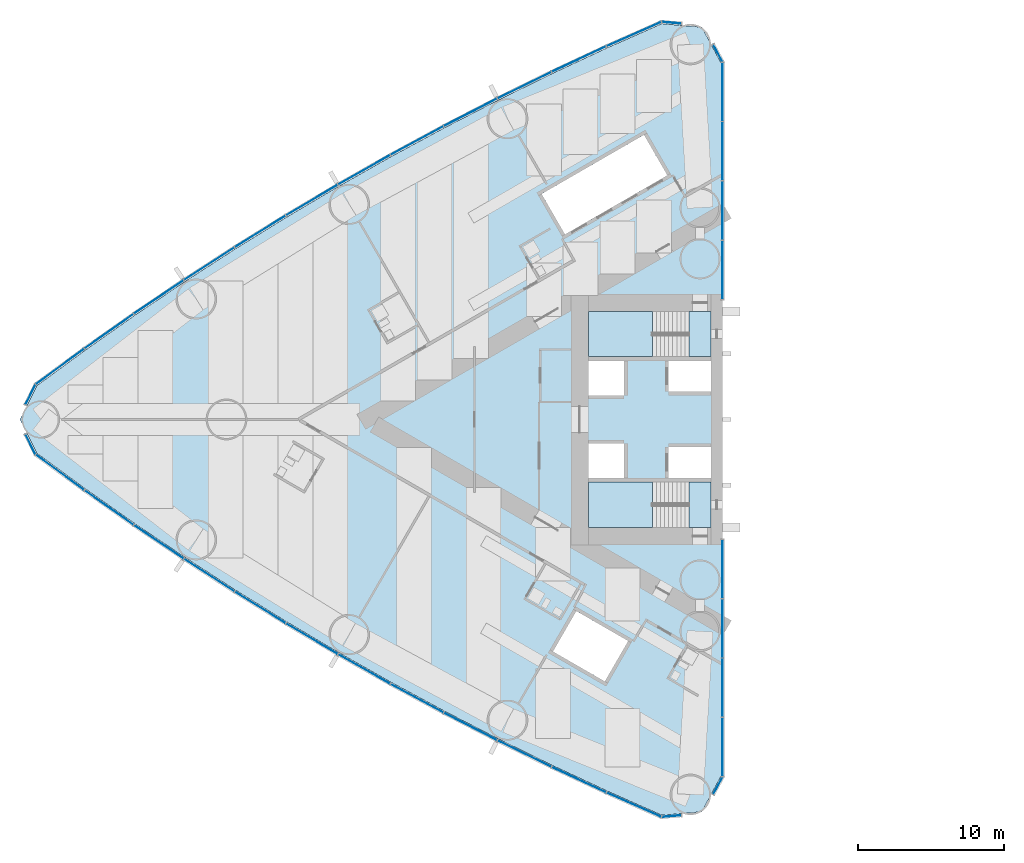
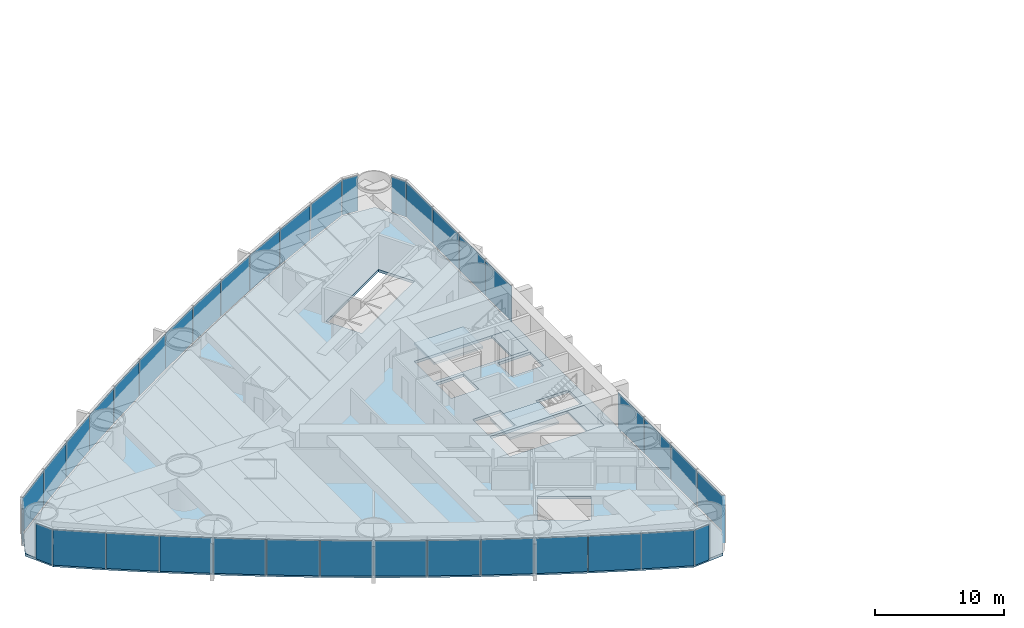
# One storey, part 9 of 18: 38 plates, 5 slabs, 6 elements without a shape of their own.
"""IFC4 building model written with IfcOpenShell, lengths in metres."""

from ifc_helpers import new_model, si_unit, direction, frame, origin, origin_2d, place, context, subcontext, project, spatial, polyline, rectangle, outline, extrude, material, layer, layer_set, type_object, element, aggregate, save


model = new_model("IFC4")

# Units and contexts
model_context = context("Model", 3, precision=1e-05, world=origin(), true_north=direction((0.0, 1.0)))
body_context = subcontext(model_context, "Body", "Model", "MODEL_VIEW")
ifc_project = project(units=[si_unit("LENGTHUNIT", "METRE"), si_unit("AREAUNIT", "SQUARE_METRE"), si_unit("VOLUMEUNIT", "CUBIC_METRE"), si_unit("PLANEANGLEUNIT", "RADIAN"), si_unit("MASSUNIT", "GRAM", prefix="KILO")], contexts=[model_context])

# Site, building, storey
site_placement = place(None, origin())
site = spatial("IfcSite", under=ifc_project, at=site_placement, CompositionType="ELEMENT")
building_placement = place(site_placement, origin())
building = spatial("IfcBuilding", under=site, at=building_placement, Name="Lancet Gate Hotel", CompositionType="ELEMENT")
storey_placement = place(building_placement, frame((0.0, 0.0, 46.0)))
storey = spatial("IfcBuildingStorey", under=building, at=storey_placement, Name="L11", CompositionType="ELEMENT", Elevation=46.0)

# Slab
ifc_material_1 = material(Name="Concrete C50/60", Category="concrete")
ifc_layer_1 = layer(ifc_material_1, 0.25)
ifc_layer_set_1 = layer_set([ifc_layer_1], Name="Floor slab 250")
slab_type_1 = type_object("IfcSlabType", Name="Floor slab 250", PredefinedType="FLOOR", material=ifc_layer_set_1)
slab_1_placement = place(storey_placement, frame((0.0, 0.0, -0.25)))
element("IfcSlab", 1, at=slab_1_placement, inside=storey, type_object=slab_type_1, Name="T1 L11 floor slab", PredefinedType="FLOOR", context=body_context, shape_type="SweptSolid", body=[
    extrude(outline(polyline([(-27.5, 8.60009765625), (-27.6201171875, 8.60009765625), (-27.6201171875, 24.4609375), (-28.926513671875, 26.8837890625), (-31.668212890625, 27.12353515625), (-35.424072265625, 25.458740234375), (-39.173583984375, 23.70849609375), (-42.887939453125, 21.884765625), (-46.56591796875, 19.98876953125), (-50.2060546875, 18.02099609375), (-53.806884765625, 15.982421875), (-57.366943359375, 13.87353515625), (-60.88525390625, 11.695068359375), (-64.360107421875, 9.448486328125), (-67.7900390625, 7.134033203125), (-71.17431640625, 4.752685546875), (-74.488525390625, 2.322021484375), (-75.65087890625, 0.0), (-74.488525390625, -2.322021484375), (-71.17431640625, -4.752685546875), (-67.7900390625, -7.134033203125), (-64.360107421875, -9.448486328125), (-60.88525390625, -11.695068359375), (-57.366943359375, -13.87353515625), (-53.806884765625, -15.982421875), (-50.2060546875, -18.02099609375), (-46.56591796875, -19.98876953125), (-42.887939453125, -21.884765625), (-39.173583984375, -23.70849609375), (-35.424072265625, -25.458740234375), (-31.668212890625, -27.12353515625), (-28.926513671875, -26.8837890625), (-27.6201171875, -24.4609375), (-27.6201171875, -8.60009765625), (-27.5, -8.60009765625), (-27.5, -8.199951171875), (-27.5, 8.199951171875), (-27.5, 8.60009765625)]), holes=[polyline([(-36.699951171875, 7.39990234375), (-36.699951171875, 4.300048828125), (-28.300048828125, 4.300048828125), (-28.300048828125, 7.39990234375), (-36.699951171875, 7.39990234375)]), polyline([(-28.300048828125, 4.0), (-31.199951171875, 4.0), (-31.199951171875, 1.89990234375), (-28.300048828125, 1.89990234375), (-28.300048828125, 4.0)]), polyline([(-34.25, 4.0), (-36.699951171875, 4.0), (-36.699951171875, 1.64990234375), (-34.25, 1.64990234375), (-34.25, 4.0)]), polyline([(-36.699951171875, -1.64990234375), (-36.699951171875, -4.0), (-34.25, -4.0), (-34.25, -1.64990234375), (-36.699951171875, -1.64990234375)]), polyline([(-28.300048828125, -1.89990234375), (-31.199951171875, -1.89990234375), (-31.199951171875, -4.0), (-28.300048828125, -4.0), (-28.300048828125, -1.89990234375)]), polyline([(-28.300048828125, -4.300048828125), (-36.699951171875, -4.300048828125), (-36.699951171875, -7.39990234375), (-28.300048828125, -7.39990234375), (-28.300048828125, -4.300048828125)]), polyline([(-31.2900390625, 16.73095703125), (-32.889892578125, 19.501953125), (-39.904052734375, 15.451904296875), (-38.303955078125, 12.680908203125), (-31.2900390625, 16.73095703125)]), polyline([(-33.97412109375, -15.180908203125), (-37.52490234375, -13.131103515625), (-39.125, -15.902099609375), (-35.573974609375, -17.951904296875), (-33.97412109375, -15.180908203125)])]), origin(), (0.0, 0.0, 1.0), 0.25),
])

# Stair, slabs
ifc_material_2 = material(Name="Exit stair 20 risers 1500")
stair_type = type_object("IfcStairType", Name="Exit stair 20 risers 1500", PredefinedType="HALF_TURN_STAIR", material=ifc_material_2)
stair_1_placement = place(storey_placement, origin())
stair_1 = element("IfcStair", 2, at=stair_1_placement, inside=storey, type_object=stair_type, Name="T1 stair 1 L11", PredefinedType="HALF_TURN_STAIR")
ifc_material_3 = material(Name="Concrete C40/50", Category="concrete")
ifc_layer_2 = layer(ifc_material_3, 0.199951171875)
ifc_layer_set_2 = layer_set([ifc_layer_2], Name="Stair landing 200")
slab_type_2 = type_object("IfcSlabType", Name="Stair landing 200", PredefinedType="LANDING", material=ifc_layer_set_2)
slab_2_placement = place(storey_placement, frame((0.0, 0.0, -0.199951171875)))
slab_2 = element("IfcSlab", 3, at=slab_2_placement, type_object=slab_type_2, Name="ST1 landing 1", PredefinedType="LANDING", context=body_context, shape_type="SweptSolid", body=[
    extrude(outline(polyline([(-28.300048828125, 7.39990234375), (-29.800048828125, 7.39990234375), (-29.800048828125, 4.300048828125), (-28.300048828125, 4.300048828125), (-28.300048828125, 7.39990234375)])), origin(), (0.0, 0.0, 1.0), 0.199951171875),
])
slab_3_placement = place(storey_placement, frame((0.0, 0.0, 1.550048828125)))
slab_3 = element("IfcSlab", 4, at=slab_3_placement, type_object=slab_type_2, Name="ST1 landing 2", PredefinedType="LANDING", context=body_context, shape_type="SweptSolid", body=[
    extrude(outline(polyline([(-32.320068359375, 7.39990234375), (-36.699951171875, 7.39990234375), (-36.699951171875, 4.300048828125), (-32.320068359375, 4.300048828125), (-32.320068359375, 7.39990234375)])), origin(), (0.0, 0.0, 1.0), 0.199951171875),
])
aggregate(stair_1, [slab_2, slab_3])

stair_2_placement = place(storey_placement, origin())
stair_2 = element("IfcStair", 5, at=stair_2_placement, inside=storey, type_object=stair_type, Name="T1 stair 2 L11", PredefinedType="HALF_TURN_STAIR")
slab_4_placement = place(storey_placement, frame((0.0, 0.0, -0.199951171875)))
slab_4 = element("IfcSlab", 6, at=slab_4_placement, type_object=slab_type_2, Name="ST2 landing 1", PredefinedType="LANDING", context=body_context, shape_type="SweptSolid", body=[
    extrude(outline(polyline([(-28.300048828125, -4.300048828125), (-29.800048828125, -4.300048828125), (-29.800048828125, -7.39990234375), (-28.300048828125, -7.39990234375), (-28.300048828125, -4.300048828125)])), origin(), (0.0, 0.0, 1.0), 0.199951171875),
])
slab_5_placement = place(storey_placement, frame((0.0, 0.0, 1.550048828125)))
slab_5 = element("IfcSlab", 7, at=slab_5_placement, type_object=slab_type_2, Name="ST2 landing 2", PredefinedType="LANDING", context=body_context, shape_type="SweptSolid", body=[
    extrude(outline(polyline([(-32.320068359375, -4.300048828125), (-36.699951171875, -4.300048828125), (-36.699951171875, -7.39990234375), (-32.320068359375, -7.39990234375), (-32.320068359375, -4.300048828125)])), origin(), (0.0, 0.0, 1.0), 0.199951171875),
])
aggregate(stair_2, [slab_4, slab_5])

# Curtain wall, plates
ifc_material_4 = material(Name="Aluminium curtain wall", Category="aluminium")
curtain_wall_type = type_object("IfcCurtainWallType", Name="Tower unitised curtain wall", PredefinedType="USERDEFINED", material=ifc_material_4)
curtain_wall_1_placement = place(storey_placement, origin())
curtain_wall_1 = element("IfcCurtainWall", 8, at=curtain_wall_1_placement, inside=storey, type_object=curtain_wall_type, Name="T1 L11 curtain wall 1", ObjectType="UNITISED CURTAIN WALL", PredefinedType="USERDEFINED")
ifc_material_5 = material(Name="Glass double glazed unit 8-16-6", Category="glass")
ifc_layer_3 = layer(ifc_material_5, 0.030029296875)
ifc_layer_set_3 = layer_set([ifc_layer_3], Name="Vision panel double glazed")
plate_type = type_object("IfcPlateType", Name="Vision panel double glazed", PredefinedType="CURTAIN_PANEL", material=ifc_layer_set_3)
plate_1_placement = place(storey_placement, frame((-27.5, 10.236328125, 0.0), z_axis=(0.0, 0.0, 1.0), x_axis=(0.0, 1.0, 0.0)))
plate_1 = element("IfcPlate", 9, at=plate_1_placement, type_object=plate_type, Name="T1 L11 curtain wall 1 panel 1", PredefinedType="CURTAIN_PANEL", context=body_context, shape_type="SweptSolid", body=[
    extrude(rectangle(XDim=4.0078125, YDim=0.030029296875, at=origin_2d()), origin(), (0.0, 0.0, 1.0), 3.35009765625),
])
plate_2_placement = place(storey_placement, frame((-27.5, 14.30908203125, 0.0), z_axis=(0.0, 0.0, 1.0), x_axis=(0.0, 1.0, 0.0)))
plate_2 = element("IfcPlate", 10, at=plate_2_placement, type_object=plate_type, Name="T1 L11 curtain wall 1 panel 2", PredefinedType="CURTAIN_PANEL", context=body_context, shape_type="SweptSolid", body=[
    extrude(rectangle(XDim=4.0078125, YDim=0.030029296875, at=origin_2d()), origin(), (0.0, 0.0, 1.0), 3.35009765625),
])
plate_3_placement = place(storey_placement, frame((-27.5, 18.382080078125, 0.0), z_axis=(0.0, 0.0, 1.0), x_axis=(0.0, 1.0, 0.0)))
plate_3 = element("IfcPlate", 11, at=plate_3_placement, type_object=plate_type, Name="T1 L11 curtain wall 1 panel 3", PredefinedType="CURTAIN_PANEL", context=body_context, shape_type="SweptSolid", body=[
    extrude(rectangle(XDim=4.0078125, YDim=0.030029296875, at=origin_2d()), origin(), (0.0, 0.0, 1.0), 3.35009765625),
])
plate_4_placement = place(storey_placement, frame((-27.5, 22.454833984375, 0.0), z_axis=(0.0, 0.0, 1.0), x_axis=(0.0, 1.0, 0.0)))
plate_4 = element("IfcPlate", 12, at=plate_4_placement, type_object=plate_type, Name="T1 L11 curtain wall 1 panel 4", PredefinedType="CURTAIN_PANEL", context=body_context, shape_type="SweptSolid", body=[
    extrude(rectangle(XDim=4.0078125, YDim=0.030029296875, at=origin_2d()), origin(), (0.0, 0.0, 1.0), 3.35009765625),
])
plate_5_placement = place(storey_placement, frame((-27.829345703125, 25.10205078125, 0.0), z_axis=(0.0, 0.0, 1.0), x_axis=(-0.474631040972, 0.880184852714, 0.0)))
plate_5 = element("IfcPlate", 13, at=plate_5_placement, type_object=plate_type, Name="T1 L11 curtain wall 1 panel 5", PredefinedType="CURTAIN_PANEL", context=body_context, shape_type="SweptSolid", body=[
    extrude(rectangle(XDim=1.322998046875, YDim=0.030029296875, at=origin_2d()), origin(), (0.0, 0.0, 1.0), 3.35009765625),
])
aggregate(curtain_wall_1, [plate_1, plate_2, plate_3, plate_4, plate_5])

curtain_wall_2_placement = place(storey_placement, origin())
curtain_wall_2 = element("IfcCurtainWall", 14, at=curtain_wall_2_placement, inside=storey, type_object=curtain_wall_type, Name="T1 L11 curtain wall 2", ObjectType="UNITISED CURTAIN WALL", PredefinedType="USERDEFINED")
plate_6_placement = place(storey_placement, frame((-30.99658203125, 27.185302734375, 0.0), z_axis=(0.0, 0.0, 1.0), x_axis=(-0.99620380374, 0.087051602022, 0.0)))
plate_6 = element("IfcPlate", 15, at=plate_6_placement, type_object=plate_type, Name="T1 L11 curtain wall 2 panel 1", PredefinedType="CURTAIN_PANEL", context=body_context, shape_type="SweptSolid", body=[
    extrude(rectangle(XDim=1.32421875, YDim=0.030029296875, at=origin_2d()), origin(), (0.0, 0.0, 1.0), 3.35009765625),
])
plate_7_placement = place(storey_placement, frame((-33.581298828125, 26.406982421875, 0.0), z_axis=(0.0, 0.0, 1.0), x_axis=(-0.914234183208, -0.405186201954, 0.0)))
plate_7 = element("IfcPlate", 16, at=plate_7_placement, type_object=plate_type, Name="T1 L11 curtain wall 2 panel 2", PredefinedType="CURTAIN_PANEL", context=body_context, shape_type="SweptSolid", body=[
    extrude(rectangle(XDim=4.0751953125, YDim=0.030029296875, at=origin_2d()), origin(), (0.0, 0.0, 1.0), 3.35009765625),
])
plate_8_placement = place(storey_placement, frame((-37.349609375, 24.6923828125, 0.0), z_axis=(0.0, 0.0, 1.0), x_axis=(-0.906117767284, -0.423025521467, 0.0)))
plate_8 = element("IfcPlate", 17, at=plate_8_placement, type_object=plate_type, Name="T1 L11 curtain wall 2 panel 3", PredefinedType="CURTAIN_PANEL", context=body_context, shape_type="SweptSolid", body=[
    extrude(rectangle(XDim=4.0751953125, YDim=0.030029296875, at=origin_2d()), origin(), (0.0, 0.0, 1.0), 3.35009765625),
])
plate_9_placement = place(storey_placement, frame((-41.083740234375, 22.904296875, 0.0), z_axis=(0.0, 0.0, 1.0), x_axis=(-0.897653295642, -0.440702349463, 0.0)))
plate_9 = element("IfcPlate", 18, at=plate_9_placement, type_object=plate_type, Name="T1 L11 curtain wall 2 panel 4", PredefinedType="CURTAIN_PANEL", context=body_context, shape_type="SweptSolid", body=[
    extrude(rectangle(XDim=4.0751953125, YDim=0.030029296875, at=origin_2d()), origin(), (0.0, 0.0, 1.0), 3.35009765625),
])
plate_10_placement = place(storey_placement, frame((-44.781982421875, 21.04345703125, 0.0), z_axis=(0.0, 0.0, 1.0), x_axis=(-0.888844019644, -0.458209895946, 0.0)))
plate_10 = element("IfcPlate", 19, at=plate_10_placement, type_object=plate_type, Name="T1 L11 curtain wall 2 panel 5", PredefinedType="CURTAIN_PANEL", context=body_context, shape_type="SweptSolid", body=[
    extrude(rectangle(XDim=4.0751953125, YDim=0.030029296875, at=origin_2d()), origin(), (0.0, 0.0, 1.0), 3.35009765625),
])
plate_11_placement = place(storey_placement, frame((-48.443115234375, 19.110595703125, 0.0), z_axis=(0.0, 0.0, 1.0), x_axis=(-0.87969332307, -0.475541435993, 0.0)))
plate_11 = element("IfcPlate", 20, at=plate_11_placement, type_object=plate_type, Name="T1 L11 curtain wall 2 panel 6", PredefinedType="CURTAIN_PANEL", context=body_context, shape_type="SweptSolid", body=[
    extrude(rectangle(XDim=4.0751953125, YDim=0.030029296875, at=origin_2d()), origin(), (0.0, 0.0, 1.0), 3.35009765625),
])
plate_12_placement = place(storey_placement, frame((-52.065673828125, 17.106201171875, 0.0), z_axis=(0.0, 0.0, 1.0), x_axis=(-0.870204720871, -0.492690312238, 0.0)))
plate_12 = element("IfcPlate", 21, at=plate_12_placement, type_object=plate_type, Name="T1 L11 curtain wall 2 panel 7", PredefinedType="CURTAIN_PANEL", context=body_context, shape_type="SweptSolid", body=[
    extrude(rectangle(XDim=4.0751953125, YDim=0.030029296875, at=origin_2d()), origin(), (0.0, 0.0, 1.0), 3.35009765625),
])
plate_13_placement = place(storey_placement, frame((-55.648193359375, 15.031005859375, 0.0), z_axis=(0.0, 0.0, 1.0), x_axis=(-0.860381857795, -0.509649937484, 0.0)))
plate_13 = element("IfcPlate", 22, at=plate_13_placement, type_object=plate_type, Name="T1 L11 curtain wall 2 panel 8", PredefinedType="CURTAIN_PANEL", context=body_context, shape_type="SweptSolid", body=[
    extrude(rectangle(XDim=4.0751953125, YDim=0.030029296875, at=origin_2d()), origin(), (0.0, 0.0, 1.0), 3.35009765625),
])
plate_14_placement = place(storey_placement, frame((-59.189208984375, 12.88623046875, 0.0), z_axis=(0.0, 0.0, 1.0), x_axis=(-0.850228506958, -0.52641379727, 0.0)))
plate_14 = element("IfcPlate", 23, at=plate_14_placement, type_object=plate_type, Name="T1 L11 curtain wall 2 panel 9", PredefinedType="CURTAIN_PANEL", context=body_context, shape_type="SweptSolid", body=[
    extrude(rectangle(XDim=4.0751953125, YDim=0.030029296875, at=origin_2d()), origin(), (0.0, 0.0, 1.0), 3.35009765625),
])
plate_15_placement = place(storey_placement, frame((-62.687744140625, 10.672607421875, 0.0), z_axis=(0.0, 0.0, 1.0), x_axis=(-0.839748568448, -0.54297545229, 0.0)))
plate_15 = element("IfcPlate", 24, at=plate_15_placement, type_object=plate_type, Name="T1 L11 curtain wall 2 panel 10", PredefinedType="CURTAIN_PANEL", context=body_context, shape_type="SweptSolid", body=[
    extrude(rectangle(XDim=4.0751953125, YDim=0.030029296875, at=origin_2d()), origin(), (0.0, 0.0, 1.0), 3.35009765625),
])
plate_16_placement = place(storey_placement, frame((-66.142333984375, 8.390625, 0.0), z_axis=(0.0, 0.0, 1.0), x_axis=(-0.828946067803, -0.559328540907, 0.0)))
plate_16 = element("IfcPlate", 25, at=plate_16_placement, type_object=plate_type, Name="T1 L11 curtain wall 2 panel 11", PredefinedType="CURTAIN_PANEL", context=body_context, shape_type="SweptSolid", body=[
    extrude(rectangle(XDim=4.0751953125, YDim=0.030029296875, at=origin_2d()), origin(), (0.0, 0.0, 1.0), 3.35009765625),
])
plate_17_placement = place(storey_placement, frame((-69.55126953125, 6.04150390625, 0.0), z_axis=(0.0, 0.0, 1.0), x_axis=(-0.817825154435, -0.575466781642, 0.0)))
plate_17 = element("IfcPlate", 26, at=plate_17_placement, type_object=plate_type, Name="T1 L11 curtain wall 2 panel 12", PredefinedType="CURTAIN_PANEL", context=body_context, shape_type="SweptSolid", body=[
    extrude(rectangle(XDim=4.0751953125, YDim=0.030029296875, at=origin_2d()), origin(), (0.0, 0.0, 1.0), 3.35009765625),
])
plate_18_placement = place(storey_placement, frame((-72.91357421875, 3.6259765625, 0.0), z_axis=(0.0, 0.0, 1.0), x_axis=(-0.80639010009, -0.591383975499, 0.0)))
plate_18 = element("IfcPlate", 27, at=plate_18_placement, type_object=plate_type, Name="T1 L11 curtain wall 2 panel 13", PredefinedType="CURTAIN_PANEL", context=body_context, shape_type="SweptSolid", body=[
    extrude(rectangle(XDim=4.0751953125, YDim=0.030029296875, at=origin_2d()), origin(), (0.0, 0.0, 1.0), 3.35009765625),
])
plate_19_placement = place(storey_placement, frame((-74.93505859375, 1.6982421875, 0.0), z_axis=(0.0, 0.0, 1.0), x_axis=(-0.447628324726, -0.89421970617, 0.0)))
plate_19 = element("IfcPlate", 28, at=plate_19_placement, type_object=plate_type, Name="T1 L11 curtain wall 2 panel 14", PredefinedType="CURTAIN_PANEL", context=body_context, shape_type="SweptSolid", body=[
    extrude(rectangle(XDim=1.50830078125, YDim=0.030029296875, at=origin_2d()), origin(), (0.0, 0.0, 1.0), 3.35009765625),
])
aggregate(curtain_wall_2, [plate_6, plate_7, plate_8, plate_9, plate_10, plate_11, plate_12, plate_13, plate_14, plate_15, plate_16, plate_17, plate_18, plate_19])

curtain_wall_3_placement = place(storey_placement, origin())
curtain_wall_3 = element("IfcCurtainWall", 29, at=curtain_wall_3_placement, inside=storey, type_object=curtain_wall_type, Name="T1 L11 curtain wall 3", ObjectType="UNITISED CURTAIN WALL", PredefinedType="USERDEFINED")
plate_20_placement = place(storey_placement, frame((-74.93505859375, -1.6982421875, 0.0), z_axis=(0.0, 0.0, 1.0), x_axis=(0.447628324726, -0.89421970617, 0.0)))
plate_20 = element("IfcPlate", 30, at=plate_20_placement, type_object=plate_type, Name="T1 L11 curtain wall 3 panel 1", PredefinedType="CURTAIN_PANEL", context=body_context, shape_type="SweptSolid", body=[
    extrude(rectangle(XDim=1.50830078125, YDim=0.030029296875, at=origin_2d()), origin(), (0.0, 0.0, 1.0), 3.35009765625),
])
plate_21_placement = place(storey_placement, frame((-72.91357421875, -3.6259765625, 0.0), z_axis=(0.0, 0.0, 1.0), x_axis=(0.80639010009, -0.591383975499, 0.0)))
plate_21 = element("IfcPlate", 31, at=plate_21_placement, type_object=plate_type, Name="T1 L11 curtain wall 3 panel 2", PredefinedType="CURTAIN_PANEL", context=body_context, shape_type="SweptSolid", body=[
    extrude(rectangle(XDim=4.0751953125, YDim=0.030029296875, at=origin_2d()), origin(), (0.0, 0.0, 1.0), 3.35009765625),
])
plate_22_placement = place(storey_placement, frame((-69.55126953125, -6.04150390625, 0.0), z_axis=(0.0, 0.0, 1.0), x_axis=(0.817825154435, -0.575466781642, 0.0)))
plate_22 = element("IfcPlate", 32, at=plate_22_placement, type_object=plate_type, Name="T1 L11 curtain wall 3 panel 3", PredefinedType="CURTAIN_PANEL", context=body_context, shape_type="SweptSolid", body=[
    extrude(rectangle(XDim=4.0751953125, YDim=0.030029296875, at=origin_2d()), origin(), (0.0, 0.0, 1.0), 3.35009765625),
])
plate_23_placement = place(storey_placement, frame((-66.142333984375, -8.390625, 0.0), z_axis=(0.0, 0.0, 1.0), x_axis=(0.828946067803, -0.559328540907, 0.0)))
plate_23 = element("IfcPlate", 33, at=plate_23_placement, type_object=plate_type, Name="T1 L11 curtain wall 3 panel 4", PredefinedType="CURTAIN_PANEL", context=body_context, shape_type="SweptSolid", body=[
    extrude(rectangle(XDim=4.0751953125, YDim=0.030029296875, at=origin_2d()), origin(), (0.0, 0.0, 1.0), 3.35009765625),
])
plate_24_placement = place(storey_placement, frame((-62.687744140625, -10.672607421875, 0.0), z_axis=(0.0, 0.0, 1.0), x_axis=(0.839748568448, -0.54297545229, 0.0)))
plate_24 = element("IfcPlate", 34, at=plate_24_placement, type_object=plate_type, Name="T1 L11 curtain wall 3 panel 5", PredefinedType="CURTAIN_PANEL", context=body_context, shape_type="SweptSolid", body=[
    extrude(rectangle(XDim=4.0751953125, YDim=0.030029296875, at=origin_2d()), origin(), (0.0, 0.0, 1.0), 3.35009765625),
])
plate_25_placement = place(storey_placement, frame((-59.189208984375, -12.88623046875, 0.0), z_axis=(0.0, 0.0, 1.0), x_axis=(0.850228506958, -0.52641379727, 0.0)))
plate_25 = element("IfcPlate", 35, at=plate_25_placement, type_object=plate_type, Name="T1 L11 curtain wall 3 panel 6", PredefinedType="CURTAIN_PANEL", context=body_context, shape_type="SweptSolid", body=[
    extrude(rectangle(XDim=4.0751953125, YDim=0.030029296875, at=origin_2d()), origin(), (0.0, 0.0, 1.0), 3.35009765625),
])
plate_26_placement = place(storey_placement, frame((-55.648193359375, -15.031005859375, 0.0), z_axis=(0.0, 0.0, 1.0), x_axis=(0.860381857795, -0.509649937484, 0.0)))
plate_26 = element("IfcPlate", 36, at=plate_26_placement, type_object=plate_type, Name="T1 L11 curtain wall 3 panel 7", PredefinedType="CURTAIN_PANEL", context=body_context, shape_type="SweptSolid", body=[
    extrude(rectangle(XDim=4.0751953125, YDim=0.030029296875, at=origin_2d()), origin(), (0.0, 0.0, 1.0), 3.35009765625),
])
plate_27_placement = place(storey_placement, frame((-52.065673828125, -17.106201171875, 0.0), z_axis=(0.0, 0.0, 1.0), x_axis=(0.870204720871, -0.492690312238, 0.0)))
plate_27 = element("IfcPlate", 37, at=plate_27_placement, type_object=plate_type, Name="T1 L11 curtain wall 3 panel 8", PredefinedType="CURTAIN_PANEL", context=body_context, shape_type="SweptSolid", body=[
    extrude(rectangle(XDim=4.0751953125, YDim=0.030029296875, at=origin_2d()), origin(), (0.0, 0.0, 1.0), 3.35009765625),
])
plate_28_placement = place(storey_placement, frame((-48.443115234375, -19.110595703125, 0.0), z_axis=(0.0, 0.0, 1.0), x_axis=(0.87969332307, -0.475541435993, 0.0)))
plate_28 = element("IfcPlate", 38, at=plate_28_placement, type_object=plate_type, Name="T1 L11 curtain wall 3 panel 9", PredefinedType="CURTAIN_PANEL", context=body_context, shape_type="SweptSolid", body=[
    extrude(rectangle(XDim=4.0751953125, YDim=0.030029296875, at=origin_2d()), origin(), (0.0, 0.0, 1.0), 3.35009765625),
])
plate_29_placement = place(storey_placement, frame((-44.781982421875, -21.04345703125, 0.0), z_axis=(0.0, 0.0, 1.0), x_axis=(0.888844019644, -0.458209895946, 0.0)))
plate_29 = element("IfcPlate", 39, at=plate_29_placement, type_object=plate_type, Name="T1 L11 curtain wall 3 panel 10", PredefinedType="CURTAIN_PANEL", context=body_context, shape_type="SweptSolid", body=[
    extrude(rectangle(XDim=4.0751953125, YDim=0.030029296875, at=origin_2d()), origin(), (0.0, 0.0, 1.0), 3.35009765625),
])
plate_30_placement = place(storey_placement, frame((-41.083740234375, -22.904296875, 0.0), z_axis=(0.0, 0.0, 1.0), x_axis=(0.897653295642, -0.440702349463, 0.0)))
plate_30 = element("IfcPlate", 40, at=plate_30_placement, type_object=plate_type, Name="T1 L11 curtain wall 3 panel 11", PredefinedType="CURTAIN_PANEL", context=body_context, shape_type="SweptSolid", body=[
    extrude(rectangle(XDim=4.0751953125, YDim=0.030029296875, at=origin_2d()), origin(), (0.0, 0.0, 1.0), 3.35009765625),
])
plate_31_placement = place(storey_placement, frame((-37.349609375, -24.6923828125, 0.0), z_axis=(0.0, 0.0, 1.0), x_axis=(0.906117767284, -0.423025521467, 0.0)))
plate_31 = element("IfcPlate", 41, at=plate_31_placement, type_object=plate_type, Name="T1 L11 curtain wall 3 panel 12", PredefinedType="CURTAIN_PANEL", context=body_context, shape_type="SweptSolid", body=[
    extrude(rectangle(XDim=4.0751953125, YDim=0.030029296875, at=origin_2d()), origin(), (0.0, 0.0, 1.0), 3.35009765625),
])
plate_32_placement = place(storey_placement, frame((-33.581298828125, -26.406982421875, 0.0), z_axis=(0.0, 0.0, 1.0), x_axis=(0.914234183208, -0.405186201954, 0.0)))
plate_32 = element("IfcPlate", 42, at=plate_32_placement, type_object=plate_type, Name="T1 L11 curtain wall 3 panel 13", PredefinedType="CURTAIN_PANEL", context=body_context, shape_type="SweptSolid", body=[
    extrude(rectangle(XDim=4.0751953125, YDim=0.030029296875, at=origin_2d()), origin(), (0.0, 0.0, 1.0), 3.35009765625),
])
plate_33_placement = place(storey_placement, frame((-30.99658203125, -27.185302734375, 0.0), z_axis=(0.0, 0.0, 1.0), x_axis=(0.99620380374, 0.087051602022, 0.0)))
plate_33 = element("IfcPlate", 43, at=plate_33_placement, type_object=plate_type, Name="T1 L11 curtain wall 3 panel 14", PredefinedType="CURTAIN_PANEL", context=body_context, shape_type="SweptSolid", body=[
    extrude(rectangle(XDim=1.32421875, YDim=0.030029296875, at=origin_2d()), origin(), (0.0, 0.0, 1.0), 3.35009765625),
])
aggregate(curtain_wall_3, [plate_20, plate_21, plate_22, plate_23, plate_24, plate_25, plate_26, plate_27, plate_28, plate_29, plate_30, plate_31, plate_32, plate_33])

curtain_wall_4_placement = place(storey_placement, origin())
curtain_wall_4 = element("IfcCurtainWall", 44, at=curtain_wall_4_placement, inside=storey, type_object=curtain_wall_type, Name="T1 L11 curtain wall 4", ObjectType="UNITISED CURTAIN WALL", PredefinedType="USERDEFINED")
plate_34_placement = place(storey_placement, frame((-27.829345703125, -25.10205078125, 0.0), z_axis=(0.0, 0.0, 1.0), x_axis=(0.474631040972, 0.880184852714, 0.0)))
plate_34 = element("IfcPlate", 45, at=plate_34_placement, type_object=plate_type, Name="T1 L11 curtain wall 4 panel 1", PredefinedType="CURTAIN_PANEL", context=body_context, shape_type="SweptSolid", body=[
    extrude(rectangle(XDim=1.322998046875, YDim=0.030029296875, at=origin_2d()), origin(), (0.0, 0.0, 1.0), 3.35009765625),
])
plate_35_placement = place(storey_placement, frame((-27.5, -22.454833984375, 0.0), z_axis=(0.0, 0.0, 1.0), x_axis=(0.0, 1.0, 0.0)))
plate_35 = element("IfcPlate", 46, at=plate_35_placement, type_object=plate_type, Name="T1 L11 curtain wall 4 panel 2", PredefinedType="CURTAIN_PANEL", context=body_context, shape_type="SweptSolid", body=[
    extrude(rectangle(XDim=4.0078125, YDim=0.030029296875, at=origin_2d()), origin(), (0.0, 0.0, 1.0), 3.35009765625),
])
plate_36_placement = place(storey_placement, frame((-27.5, -18.382080078125, 0.0), z_axis=(0.0, 0.0, 1.0), x_axis=(0.0, 1.0, 0.0)))
plate_36 = element("IfcPlate", 47, at=plate_36_placement, type_object=plate_type, Name="T1 L11 curtain wall 4 panel 3", PredefinedType="CURTAIN_PANEL", context=body_context, shape_type="SweptSolid", body=[
    extrude(rectangle(XDim=4.0078125, YDim=0.030029296875, at=origin_2d()), origin(), (0.0, 0.0, 1.0), 3.35009765625),
])
plate_37_placement = place(storey_placement, frame((-27.5, -14.30908203125, 0.0), z_axis=(0.0, 0.0, 1.0), x_axis=(0.0, 1.0, 0.0)))
plate_37 = element("IfcPlate", 48, at=plate_37_placement, type_object=plate_type, Name="T1 L11 curtain wall 4 panel 4", PredefinedType="CURTAIN_PANEL", context=body_context, shape_type="SweptSolid", body=[
    extrude(rectangle(XDim=4.0078125, YDim=0.030029296875, at=origin_2d()), origin(), (0.0, 0.0, 1.0), 3.35009765625),
])
plate_38_placement = place(storey_placement, frame((-27.5, -10.236328125, 0.0), z_axis=(0.0, 0.0, 1.0), x_axis=(0.0, 1.0, 0.0)))
plate_38 = element("IfcPlate", 49, at=plate_38_placement, type_object=plate_type, Name="T1 L11 curtain wall 4 panel 5", PredefinedType="CURTAIN_PANEL", context=body_context, shape_type="SweptSolid", body=[
    extrude(rectangle(XDim=4.0078125, YDim=0.030029296875, at=origin_2d()), origin(), (0.0, 0.0, 1.0), 3.35009765625),
])
aggregate(curtain_wall_4, [plate_34, plate_35, plate_36, plate_37, plate_38])

save(model, "model.ifc")
